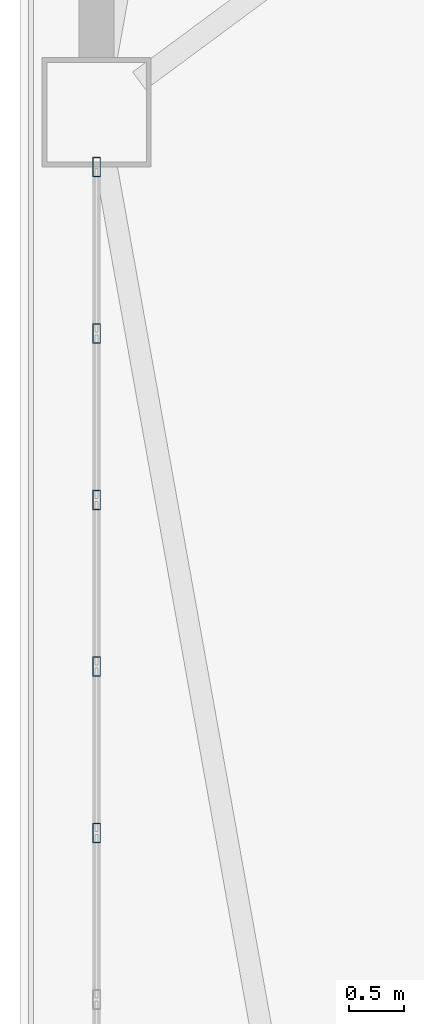
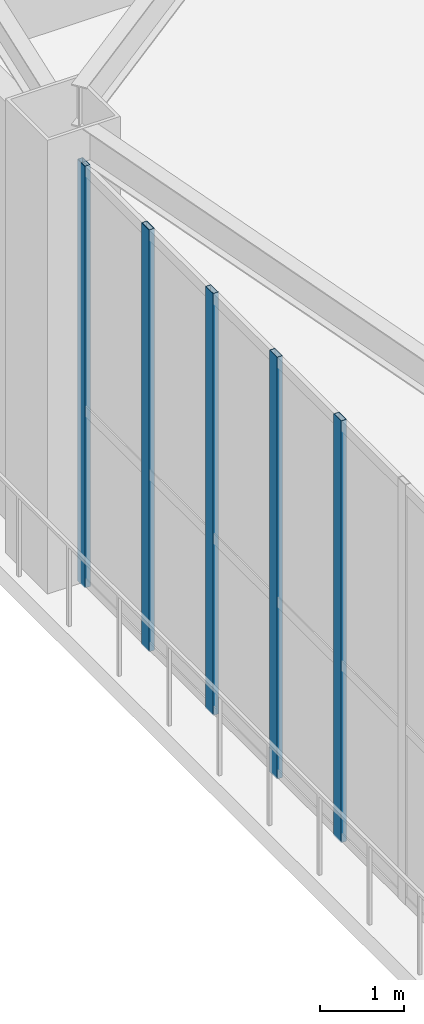
# One storey, part 5 of 22: 5 members, 1 element without a shape of its own.
"""IFC4 building model written with IfcOpenShell, lengths in metres."""

from ifc_helpers import new_model, si_unit, direction, frame, origin, origin_2d, place, context, subcontext, project, spatial, hollow_rectangle, extrude, source, transform, mapped, material, layer, layer_set, material_profile, profile_set, type_object, element, aggregate, save


model = new_model("IFC4")

# Units and contexts
model_context = context("Model", 3, precision=1e-05, world=origin(), true_north=direction((0.0, 1.0)))
body_context = subcontext(model_context, "Body", "Model", "MODEL_VIEW")
ifc_project = project(units=[si_unit("LENGTHUNIT", "METRE"), si_unit("AREAUNIT", "SQUARE_METRE"), si_unit("VOLUMEUNIT", "CUBIC_METRE"), si_unit("PLANEANGLEUNIT", "RADIAN"), si_unit("MASSUNIT", "GRAM", prefix="KILO")], contexts=[model_context])

# Site, building, storey
site_placement = place(None, origin())
site = spatial("IfcSite", under=ifc_project, at=site_placement, CompositionType="ELEMENT")
building_placement = place(site_placement, origin())
building = spatial("IfcBuilding", under=site, at=building_placement, Name="Giltprow Tower", CompositionType="ELEMENT")
storey_placement = place(building_placement, frame((0.0, 0.0, 72.800048828125)))
storey = spatial("IfcBuildingStorey", under=building, at=storey_placement, Name="L18", CompositionType="ELEMENT", Elevation=72.800048828125)

# Curtain wall, members
ifc_material = material(Name="Anodized bronze", Category="metal")
ifc_layer = layer(ifc_material, 0.179931640625, Name="Anodized bronze")
ifc_layer_set = layer_set([ifc_layer], Name="Anodized bronze")
curtain_wall_type = type_object("IfcCurtainWallType", Name="CW-SKYGARDEN", PredefinedType="NOTDEFINED", material=ifc_layer_set)
curtain_wall_placement = place(storey_placement, origin())
curtain_wall = element("IfcCurtainWall", 1, at=curtain_wall_placement, inside=storey, type_object=curtain_wall_type, Name="L18 W Sky Garden Glazing", PredefinedType="NOTDEFINED")
ifc_material_profile = material_profile(ifc_material, hollow_rectangle(XDim=0.074951171875, YDim=0.179931640625, WallThickness=0.008056640625, at=origin_2d()), Name="RHS 180x75x8")
ifc_profile_set = profile_set([ifc_material_profile], Name="Anodized bronze")
member_type = type_object("IfcMemberType", Name="CW-MULLION-180x75", PredefinedType="MULLION", material=ifc_profile_set)
shared_shape = source(origin(), body_context, "Body", "SweptSolid", [
    extrude(hollow_rectangle(XDim=0.074951171875, YDim=0.179931640625, WallThickness=0.008056640625, at=origin_2d()), origin(), (0.0, 0.0, 1.0), 6.114990234375),
])
member_1_placement = place(storey_placement, frame((4.0400390625, 19.1640625, -0.02001953125), z_axis=(0.0, 0.0, 1.0), x_axis=(1.0, 0.0, 0.0)))
member_1 = element("IfcMember", 2, at=member_1_placement, type_object=member_type, Name="L18 W Sky Garden Glazing Mullion 8", PredefinedType="MULLION", context=body_context, shape_type="MappedRepresentation", body=[
    mapped(shared_shape, transform((0.0, 0.0, 0.0), x_axis=(1.0, 0.0, 0.0), y_axis=(0.0, 1.0, 0.0), z_axis=(0.0, 0.0, 1.0), scale=1.0)),
])
member_2_placement = place(storey_placement, frame((4.0400390625, 20.68701171875, -0.02001953125), z_axis=(0.0, 0.0, 1.0), x_axis=(1.0, 0.0, 0.0)))
member_2 = element("IfcMember", 3, at=member_2_placement, type_object=member_type, Name="L18 W Sky Garden Glazing Mullion 9", PredefinedType="MULLION", context=body_context, shape_type="MappedRepresentation", body=[
    mapped(shared_shape, transform((0.0, 0.0, 0.0), x_axis=(1.0, 0.0, 0.0), y_axis=(0.0, 1.0, 0.0), z_axis=(0.0, 0.0, 1.0), scale=1.0)),
])
member_3_placement = place(storey_placement, frame((4.0400390625, 22.2099609375, -0.02001953125), z_axis=(0.0, 0.0, 1.0), x_axis=(1.0, 0.0, 0.0)))
member_3 = element("IfcMember", 4, at=member_3_placement, type_object=member_type, Name="L18 W Sky Garden Glazing Mullion 10", PredefinedType="MULLION", context=body_context, shape_type="MappedRepresentation", body=[
    mapped(shared_shape, transform((0.0, 0.0, 0.0), x_axis=(1.0, 0.0, 0.0), y_axis=(0.0, 1.0, 0.0), z_axis=(0.0, 0.0, 1.0), scale=1.0)),
])
member_4_placement = place(storey_placement, frame((4.0400390625, 23.73193359375, -0.02001953125), z_axis=(0.0, 0.0, 1.0), x_axis=(1.0, 0.0, 0.0)))
member_4 = element("IfcMember", 5, at=member_4_placement, type_object=member_type, Name="L18 W Sky Garden Glazing Mullion 11", PredefinedType="MULLION", context=body_context, shape_type="MappedRepresentation", body=[
    mapped(shared_shape, transform((0.0, 0.0, 0.0), x_axis=(1.0, 0.0, 0.0), y_axis=(0.0, 1.0, 0.0), z_axis=(0.0, 0.0, 1.0), scale=1.0)),
])
member_5_placement = place(storey_placement, frame((4.0400390625, 25.2548828125, -0.02001953125), z_axis=(0.0, 0.0, 1.0), x_axis=(1.0, 0.0, 0.0)))
member_5 = element("IfcMember", 6, at=member_5_placement, type_object=member_type, Name="L18 W Sky Garden Glazing Mullion 12", PredefinedType="MULLION", context=body_context, shape_type="MappedRepresentation", body=[
    mapped(shared_shape, transform((0.0, 0.0, 0.0), x_axis=(1.0, 0.0, 0.0), y_axis=(0.0, 1.0, 0.0), z_axis=(0.0, 0.0, 1.0), scale=1.0)),
])
aggregate(curtain_wall, [member_1, member_2, member_3, member_4, member_5])

save(model, "model.ifc")
